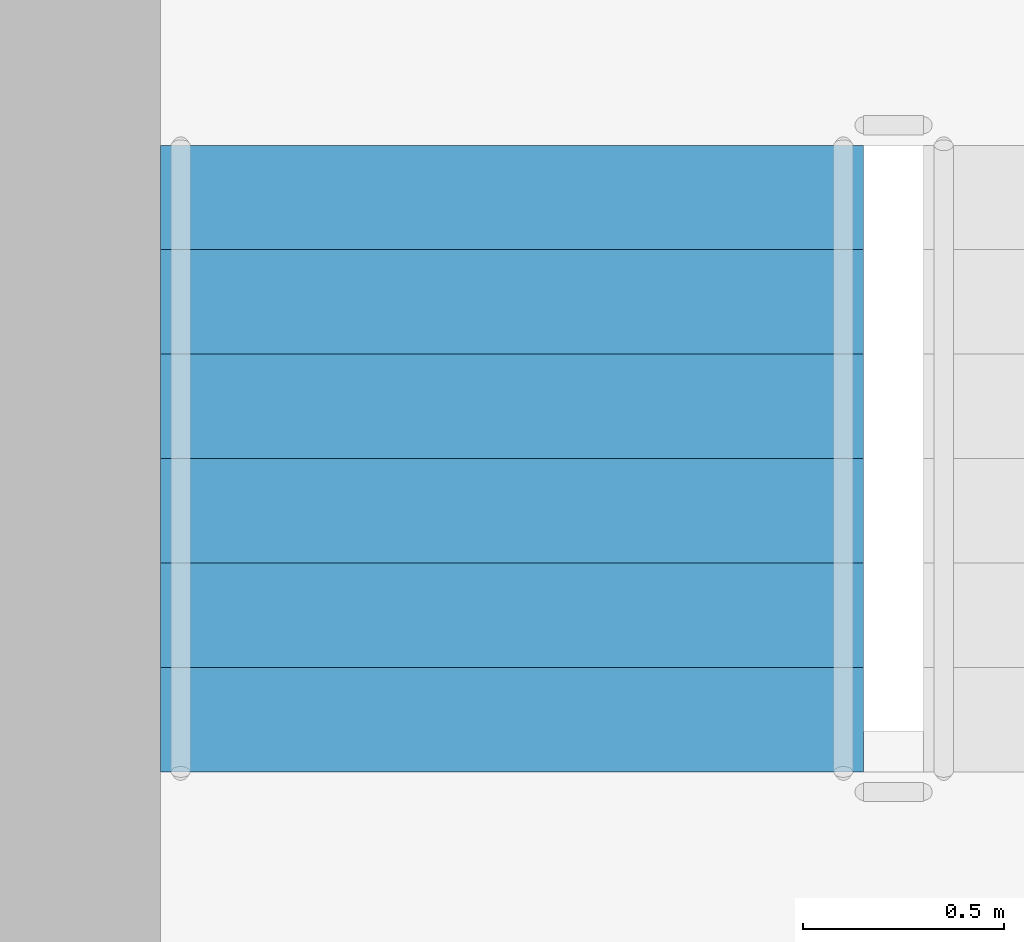
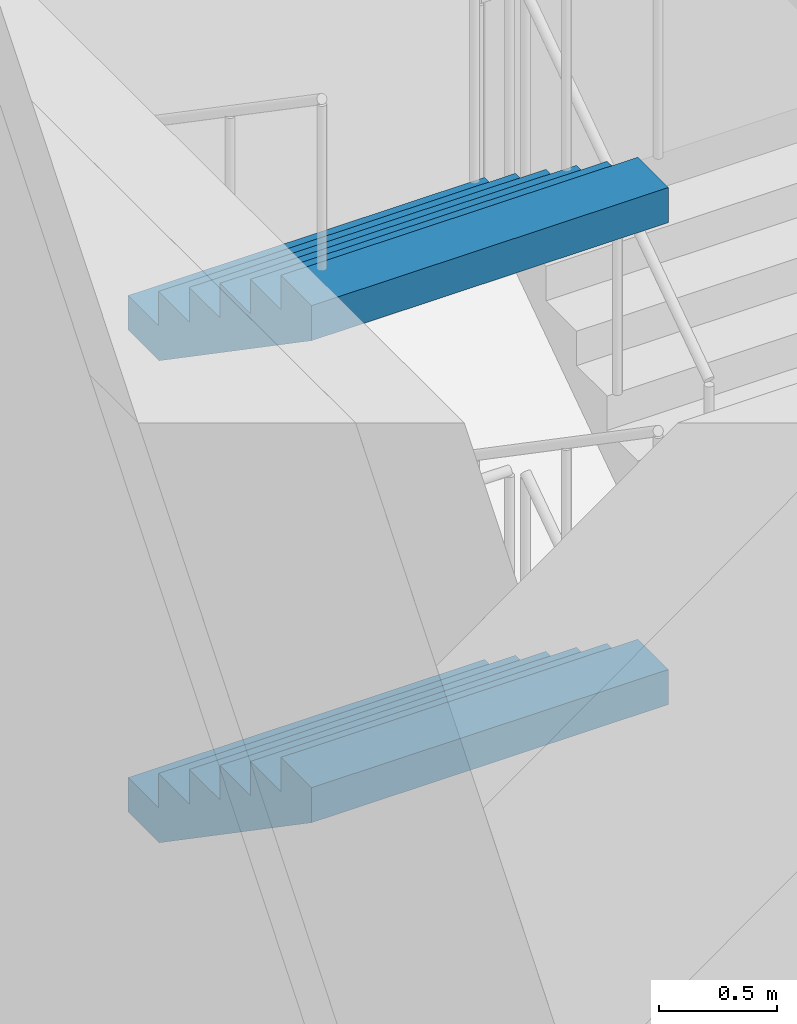
# One storey, part 24 of 34: 2 stair flights, 1 element without a shape of its own.
"""IFC4 building model written with IfcOpenShell, lengths in metres."""

from ifc_helpers import new_model, si_unit, direction, frame, origin, place, context, subcontext, project, spatial, faceted_brep, material, type_object, element, aggregate, save


model = new_model("IFC4")

# Units and contexts
model_context = context("Model", 3, precision=1e-05, world=origin(), true_north=direction((0.0, 1.0)))
body_context = subcontext(model_context, "Body", "Model", "MODEL_VIEW")
ifc_project = project(units=[si_unit("LENGTHUNIT", "METRE"), si_unit("AREAUNIT", "SQUARE_METRE"), si_unit("VOLUMEUNIT", "CUBIC_METRE"), si_unit("PLANEANGLEUNIT", "RADIAN"), si_unit("MASSUNIT", "GRAM", prefix="KILO")], contexts=[model_context])

# Site, building, storey
site_placement = place(None, origin())
site = spatial("IfcSite", under=ifc_project, at=site_placement, CompositionType="ELEMENT")
building_placement = place(site_placement, origin())
building = spatial("IfcBuilding", under=site, at=building_placement, Name="Ipe Terrace Towers", CompositionType="ELEMENT")
storey_placement = place(building_placement, frame((0.0, 0.0, 128.699951171875)))
storey = spatial("IfcBuildingStorey", under=building, at=storey_placement, Name="L35", CompositionType="ELEMENT", Elevation=128.699951171875)

# Stair, stair flights
ifc_material_1 = material(Name="Concrete C30/37", Category="concrete")
stair_type = type_object("IfcStairType", Name="Protected exit stair", PredefinedType="HALF_TURN_STAIR", material=ifc_material_1)
stair_placement = place(storey_placement, origin())
stair = element("IfcStair", 1, at=stair_placement, inside=storey, type_object=stair_type, Name="L35 Exit stair T2-C1", PredefinedType="HALF_TURN_STAIR")
ifc_material_2 = material(Name="Concrete C30/37", Category="concrete")
stair_flight_type = type_object("IfcStairFlightType", Name="Exit stair flight 1750", PredefinedType="STRAIGHT", material=ifc_material_2)
stair_flight_1_placement = place(storey_placement, frame((31.324951171875, 11.260009765625, 1.25), z_axis=(0.0, 0.0, 1.0), x_axis=(0.0, -1.0, 0.0)))
stair_flight_1 = element("IfcStairFlight", 2, at=stair_flight_1_placement, type_object=stair_flight_type, Name="T2-ST1 flight 2", NumberOfRisers=7, NumberOfTreads=6, PredefinedType="STRAIGHT", RiserHeight=0.178571429, TreadLength=0.26, context=body_context, shape_type="Brep", body=[
    faceted_brep([(0.264892578125, -0.875, 0.0), (1.56005859375, -0.875, 0.8896484375), (1.56005859375, -0.875, 1.071533203125), (1.300048828125, -0.875, 1.071533203125), (1.300048828125, -0.875, 0.892822265625), (1.0400390625, -0.875, 0.892822265625), (1.0400390625, -0.875, 0.71435546875), (0.780029296875, -0.875, 0.71435546875), (0.780029296875, -0.875, 0.53564453125), (0.52001953125, -0.875, 0.53564453125), (0.52001953125, -0.875, 0.357177734375), (0.260009765625, -0.875, 0.357177734375), (0.260009765625, -0.875, 0.178466796875), (0.0, -0.875, 0.178466796875), (0.0, -0.875, 0.0), (0.0, 0.875, 0.0), (0.0, 0.875, 0.178466796875), (0.260009765625, 0.875, 0.178466796875), (0.260009765625, 0.875, 0.357177734375), (0.52001953125, 0.875, 0.357177734375), (0.52001953125, 0.875, 0.53564453125), (0.780029296875, 0.875, 0.53564453125), (0.780029296875, 0.875, 0.71435546875), (1.0400390625, 0.875, 0.71435546875), (1.0400390625, 0.875, 0.892822265625), (1.300048828125, 0.875, 0.892822265625), (1.300048828125, 0.875, 1.071533203125), (1.56005859375, 0.875, 1.071533203125), (1.56005859375, 0.875, 0.8896484375), (0.264892578125, 0.875, 0.0), (0.0, -0.300048828125, 0.178466796875), (0.0, -0.1201171875, 0.178466796875), (0.0, -0.06005859375, 0.178466796875), (0.0, -0.030029296875, 0.178466796875), (0.0, -0.010009765625, 0.178466796875), (0.0, 0.0, 0.178466796875), (0.0, 0.010009765625, 0.178466796875), (0.0, 0.030029296875, 0.178466796875), (0.0, 0.06005859375, 0.178466796875), (0.0, 0.1201171875, 0.178466796875), (0.0, 0.300048828125, 0.178466796875), (0.0, 0.300048828125, 0.0), (0.0, 0.1201171875, 0.0), (0.0, 0.06005859375, 0.0), (0.0, 0.030029296875, 0.0), (0.0, 0.010009765625, 0.0), (0.0, 0.0, 0.0), (0.0, -0.010009765625, 0.0), (0.0, -0.030029296875, 0.0), (0.0, -0.06005859375, 0.0), (0.0, -0.1201171875, 0.0), (0.0, -0.300048828125, 0.0), (0.260009765625, -0.300048828125, 0.178466796875), (0.260009765625, -0.1201171875, 0.178466796875), (0.260009765625, -0.06005859375, 0.178466796875), (0.260009765625, -0.030029296875, 0.178466796875), (0.260009765625, -0.010009765625, 0.178466796875), (0.260009765625, 0.0, 0.178466796875), (0.260009765625, 0.010009765625, 0.178466796875), (0.260009765625, 0.030029296875, 0.178466796875), (0.260009765625, 0.06005859375, 0.178466796875), (0.260009765625, 0.1201171875, 0.178466796875), (0.260009765625, 0.300048828125, 0.178466796875), (0.260009765625, -0.300048828125, 0.357177734375), (0.260009765625, -0.1201171875, 0.357177734375), (0.260009765625, -0.06005859375, 0.357177734375), (0.260009765625, -0.030029296875, 0.357177734375), (0.260009765625, -0.010009765625, 0.357177734375), (0.260009765625, 0.0, 0.357177734375), (0.260009765625, 0.010009765625, 0.357177734375), (0.260009765625, 0.030029296875, 0.357177734375), (0.260009765625, 0.06005859375, 0.357177734375), (0.260009765625, 0.1201171875, 0.357177734375), (0.260009765625, 0.300048828125, 0.357177734375), (0.52001953125, -0.300048828125, 0.357177734375), (0.52001953125, -0.1201171875, 0.357177734375), (0.52001953125, -0.06005859375, 0.357177734375), (0.52001953125, -0.030029296875, 0.357177734375), (0.52001953125, -0.010009765625, 0.357177734375), (0.52001953125, 0.0, 0.357177734375), (0.52001953125, 0.010009765625, 0.357177734375), (0.52001953125, 0.030029296875, 0.357177734375), (0.52001953125, 0.06005859375, 0.357177734375), (0.52001953125, 0.1201171875, 0.357177734375), (0.52001953125, 0.300048828125, 0.357177734375), (0.52001953125, -0.300048828125, 0.53564453125), (0.52001953125, -0.1201171875, 0.53564453125), (0.52001953125, -0.06005859375, 0.53564453125), (0.52001953125, -0.030029296875, 0.53564453125), (0.52001953125, -0.010009765625, 0.53564453125), (0.52001953125, 0.0, 0.53564453125), (0.52001953125, 0.010009765625, 0.53564453125), (0.52001953125, 0.030029296875, 0.53564453125), (0.52001953125, 0.06005859375, 0.53564453125), (0.52001953125, 0.1201171875, 0.53564453125), (0.52001953125, 0.300048828125, 0.53564453125), (0.780029296875, -0.300048828125, 0.53564453125), (0.780029296875, -0.1201171875, 0.53564453125), (0.780029296875, -0.06005859375, 0.53564453125), (0.780029296875, -0.030029296875, 0.53564453125), (0.780029296875, -0.010009765625, 0.53564453125), (0.780029296875, 0.0, 0.53564453125), (0.780029296875, 0.010009765625, 0.53564453125), (0.780029296875, 0.030029296875, 0.53564453125), (0.780029296875, 0.06005859375, 0.53564453125), (0.780029296875, 0.1201171875, 0.53564453125), (0.780029296875, 0.300048828125, 0.53564453125), (0.780029296875, -0.300048828125, 0.71435546875), (0.780029296875, -0.1201171875, 0.71435546875), (0.780029296875, -0.06005859375, 0.71435546875), (0.780029296875, -0.030029296875, 0.71435546875), (0.780029296875, -0.010009765625, 0.71435546875), (0.780029296875, 0.0, 0.71435546875), (0.780029296875, 0.010009765625, 0.71435546875), (0.780029296875, 0.030029296875, 0.71435546875), (0.780029296875, 0.06005859375, 0.71435546875), (0.780029296875, 0.1201171875, 0.71435546875), (0.780029296875, 0.300048828125, 0.71435546875), (1.0400390625, -0.300048828125, 0.71435546875), (1.0400390625, -0.1201171875, 0.71435546875), (1.0400390625, -0.06005859375, 0.71435546875), (1.0400390625, -0.030029296875, 0.71435546875), (1.0400390625, -0.010009765625, 0.71435546875), (1.0400390625, 0.0, 0.71435546875), (1.0400390625, 0.010009765625, 0.71435546875), (1.0400390625, 0.030029296875, 0.71435546875), (1.0400390625, 0.06005859375, 0.71435546875), (1.0400390625, 0.1201171875, 0.71435546875), (1.0400390625, 0.300048828125, 0.71435546875), (1.0400390625, -0.300048828125, 0.892822265625), (1.0400390625, -0.1201171875, 0.892822265625), (1.0400390625, -0.06005859375, 0.892822265625), (1.0400390625, -0.030029296875, 0.892822265625), (1.0400390625, -0.010009765625, 0.892822265625), (1.0400390625, 0.0, 0.892822265625), (1.0400390625, 0.010009765625, 0.892822265625), (1.0400390625, 0.030029296875, 0.892822265625), (1.0400390625, 0.06005859375, 0.892822265625), (1.0400390625, 0.1201171875, 0.892822265625), (1.0400390625, 0.300048828125, 0.892822265625), (1.300048828125, -0.300048828125, 0.892822265625), (1.300048828125, -0.1201171875, 0.892822265625), (1.300048828125, -0.06005859375, 0.892822265625), (1.300048828125, -0.030029296875, 0.892822265625), (1.300048828125, -0.010009765625, 0.892822265625), (1.300048828125, 0.0, 0.892822265625), (1.300048828125, 0.010009765625, 0.892822265625), (1.300048828125, 0.030029296875, 0.892822265625), (1.300048828125, 0.06005859375, 0.892822265625), (1.300048828125, 0.1201171875, 0.892822265625), (1.300048828125, 0.300048828125, 0.892822265625), (1.300048828125, -0.300048828125, 1.071533203125), (1.300048828125, -0.1201171875, 1.071533203125), (1.300048828125, -0.06005859375, 1.071533203125), (1.300048828125, -0.030029296875, 1.071533203125), (1.300048828125, -0.010009765625, 1.071533203125), (1.300048828125, 0.0, 1.071533203125), (1.300048828125, 0.010009765625, 1.071533203125), (1.300048828125, 0.030029296875, 1.071533203125), (1.300048828125, 0.06005859375, 1.071533203125), (1.300048828125, 0.1201171875, 1.071533203125), (1.300048828125, 0.300048828125, 1.071533203125), (1.56005859375, -0.300048828125, 1.071533203125), (1.56005859375, -0.1201171875, 1.071533203125), (1.56005859375, -0.06005859375, 1.071533203125), (1.56005859375, -0.030029296875, 1.071533203125), (1.56005859375, -0.010009765625, 1.071533203125), (1.56005859375, 0.0, 1.071533203125), (1.56005859375, 0.010009765625, 1.071533203125), (1.56005859375, 0.030029296875, 1.071533203125), (1.56005859375, 0.06005859375, 1.071533203125), (1.56005859375, 0.1201171875, 1.071533203125), (1.56005859375, 0.300048828125, 1.071533203125), (1.56005859375, -0.300048828125, 0.8896484375), (1.56005859375, -0.1201171875, 0.8896484375), (1.56005859375, -0.06005859375, 0.8896484375), (1.56005859375, -0.030029296875, 0.8896484375), (1.56005859375, -0.010009765625, 0.8896484375), (1.56005859375, 0.0, 0.8896484375), (1.56005859375, 0.010009765625, 0.8896484375), (1.56005859375, 0.030029296875, 0.8896484375), (1.56005859375, 0.06005859375, 0.8896484375), (1.56005859375, 0.1201171875, 0.8896484375), (1.56005859375, 0.300048828125, 0.8896484375), (0.264892578125, -0.300048828125, 0.0), (0.264892578125, -0.1201171875, 0.0), (0.264892578125, -0.06005859375, 0.0), (0.264892578125, -0.030029296875, 0.0), (0.264892578125, -0.010009765625, 0.0), (0.264892578125, 0.0, 0.0), (0.264892578125, 0.010009765625, 0.0), (0.264892578125, 0.030029296875, 0.0), (0.264892578125, 0.06005859375, 0.0), (0.264892578125, 0.1201171875, 0.0), (0.264892578125, 0.300048828125, 0.0)], [[[0, 1, 2, 3, 4, 5, 6, 7, 8, 9, 10, 11, 12, 13, 14]], [[15, 16, 17, 18, 19, 20, 21, 22, 23, 24, 25, 26, 27, 28, 29]], [[13, 30, 31, 32, 33, 34, 35, 36, 37, 38, 39, 40, 16, 15, 41, 42, 43, 44, 45, 46, 47, 48, 49, 50, 51, 14]], [[12, 52, 53, 54, 55, 56, 57, 58, 59, 60, 61, 62, 17, 16, 40, 39, 38, 37, 36, 35, 34, 33, 32, 31, 30, 13]], [[11, 63, 64, 65, 66, 67, 68, 69, 70, 71, 72, 73, 18, 17, 62, 61, 60, 59, 58, 57, 56, 55, 54, 53, 52, 12]], [[10, 74, 75, 76, 77, 78, 79, 80, 81, 82, 83, 84, 19, 18, 73, 72, 71, 70, 69, 68, 67, 66, 65, 64, 63, 11]], [[9, 85, 86, 87, 88, 89, 90, 91, 92, 93, 94, 95, 20, 19, 84, 83, 82, 81, 80, 79, 78, 77, 76, 75, 74, 10]], [[8, 96, 97, 98, 99, 100, 101, 102, 103, 104, 105, 106, 21, 20, 95, 94, 93, 92, 91, 90, 89, 88, 87, 86, 85, 9]], [[7, 107, 108, 109, 110, 111, 112, 113, 114, 115, 116, 117, 22, 21, 106, 105, 104, 103, 102, 101, 100, 99, 98, 97, 96, 8]], [[6, 118, 119, 120, 121, 122, 123, 124, 125, 126, 127, 128, 23, 22, 117, 116, 115, 114, 113, 112, 111, 110, 109, 108, 107, 7]], [[5, 129, 130, 131, 132, 133, 134, 135, 136, 137, 138, 139, 24, 23, 128, 127, 126, 125, 124, 123, 122, 121, 120, 119, 118, 6]], [[4, 140, 141, 142, 143, 144, 145, 146, 147, 148, 149, 150, 25, 24, 139, 138, 137, 136, 135, 134, 133, 132, 131, 130, 129, 5]], [[3, 151, 152, 153, 154, 155, 156, 157, 158, 159, 160, 161, 26, 25, 150, 149, 148, 147, 146, 145, 144, 143, 142, 141, 140, 4]], [[2, 162, 163, 164, 165, 166, 167, 168, 169, 170, 171, 172, 27, 26, 161, 160, 159, 158, 157, 156, 155, 154, 153, 152, 151, 3]], [[1, 173, 174, 175, 176, 177, 178, 179, 180, 181, 182, 183, 28, 27, 172, 171, 170, 169, 168, 167, 166, 165, 164, 163, 162, 2]], [[0, 184, 185, 186, 187, 188, 189, 190, 191, 192, 193, 194, 29, 28, 183, 182, 181, 180, 179, 178, 177, 176, 175, 174, 173, 1]], [[14, 51, 50, 49, 48, 47, 46, 45, 44, 43, 42, 41, 15, 29, 194, 193, 192, 191, 190, 189, 188, 187, 186, 185, 184, 0]]]),
])
stair_flight_2_placement = place(storey_placement, frame((31.324951171875, 11.260009765625, 3.75), z_axis=(0.0, 0.0, 1.0), x_axis=(0.0, -1.0, 0.0)))
stair_flight_2 = element("IfcStairFlight", 3, at=stair_flight_2_placement, type_object=stair_flight_type, Name="T2-ST1 flight 4", NumberOfRisers=7, NumberOfTreads=6, PredefinedType="STRAIGHT", RiserHeight=0.178571429, TreadLength=0.26, context=body_context, shape_type="Brep", body=[
    faceted_brep([(0.264892578125, -0.875, 0.0), (1.56005859375, -0.875, 0.8896484375), (1.56005859375, -0.875, 1.071533203125), (1.300048828125, -0.875, 1.071533203125), (1.300048828125, -0.875, 0.892822265625), (1.0400390625, -0.875, 0.892822265625), (1.0400390625, -0.875, 0.71435546875), (0.780029296875, -0.875, 0.71435546875), (0.780029296875, -0.875, 0.53564453125), (0.52001953125, -0.875, 0.53564453125), (0.52001953125, -0.875, 0.357177734375), (0.260009765625, -0.875, 0.357177734375), (0.260009765625, -0.875, 0.178466796875), (0.0, -0.875, 0.178466796875), (0.0, -0.875, 0.0), (0.0, 0.875, 0.0), (0.0, 0.875, 0.178466796875), (0.260009765625, 0.875, 0.178466796875), (0.260009765625, 0.875, 0.357177734375), (0.52001953125, 0.875, 0.357177734375), (0.52001953125, 0.875, 0.53564453125), (0.780029296875, 0.875, 0.53564453125), (0.780029296875, 0.875, 0.71435546875), (1.0400390625, 0.875, 0.71435546875), (1.0400390625, 0.875, 0.892822265625), (1.300048828125, 0.875, 0.892822265625), (1.300048828125, 0.875, 1.071533203125), (1.56005859375, 0.875, 1.071533203125), (1.56005859375, 0.875, 0.8896484375), (0.264892578125, 0.875, 0.0), (0.0, -0.300048828125, 0.178466796875), (0.0, -0.1201171875, 0.178466796875), (0.0, -0.06005859375, 0.178466796875), (0.0, -0.030029296875, 0.178466796875), (0.0, -0.010009765625, 0.178466796875), (0.0, 0.0, 0.178466796875), (0.0, 0.010009765625, 0.178466796875), (0.0, 0.030029296875, 0.178466796875), (0.0, 0.06005859375, 0.178466796875), (0.0, 0.1201171875, 0.178466796875), (0.0, 0.300048828125, 0.178466796875), (0.0, 0.300048828125, 0.0), (0.0, 0.1201171875, 0.0), (0.0, 0.06005859375, 0.0), (0.0, 0.030029296875, 0.0), (0.0, 0.010009765625, 0.0), (0.0, 0.0, 0.0), (0.0, -0.010009765625, 0.0), (0.0, -0.030029296875, 0.0), (0.0, -0.06005859375, 0.0), (0.0, -0.1201171875, 0.0), (0.0, -0.300048828125, 0.0), (0.260009765625, -0.300048828125, 0.178466796875), (0.260009765625, -0.1201171875, 0.178466796875), (0.260009765625, -0.06005859375, 0.178466796875), (0.260009765625, -0.030029296875, 0.178466796875), (0.260009765625, -0.010009765625, 0.178466796875), (0.260009765625, 0.0, 0.178466796875), (0.260009765625, 0.010009765625, 0.178466796875), (0.260009765625, 0.030029296875, 0.178466796875), (0.260009765625, 0.06005859375, 0.178466796875), (0.260009765625, 0.1201171875, 0.178466796875), (0.260009765625, 0.300048828125, 0.178466796875), (0.260009765625, -0.300048828125, 0.357177734375), (0.260009765625, -0.1201171875, 0.357177734375), (0.260009765625, -0.06005859375, 0.357177734375), (0.260009765625, -0.030029296875, 0.357177734375), (0.260009765625, -0.010009765625, 0.357177734375), (0.260009765625, 0.0, 0.357177734375), (0.260009765625, 0.010009765625, 0.357177734375), (0.260009765625, 0.030029296875, 0.357177734375), (0.260009765625, 0.06005859375, 0.357177734375), (0.260009765625, 0.1201171875, 0.357177734375), (0.260009765625, 0.300048828125, 0.357177734375), (0.52001953125, -0.300048828125, 0.357177734375), (0.52001953125, -0.1201171875, 0.357177734375), (0.52001953125, -0.06005859375, 0.357177734375), (0.52001953125, -0.030029296875, 0.357177734375), (0.52001953125, -0.010009765625, 0.357177734375), (0.52001953125, 0.0, 0.357177734375), (0.52001953125, 0.010009765625, 0.357177734375), (0.52001953125, 0.030029296875, 0.357177734375), (0.52001953125, 0.06005859375, 0.357177734375), (0.52001953125, 0.1201171875, 0.357177734375), (0.52001953125, 0.300048828125, 0.357177734375), (0.52001953125, -0.300048828125, 0.53564453125), (0.52001953125, -0.1201171875, 0.53564453125), (0.52001953125, -0.06005859375, 0.53564453125), (0.52001953125, -0.030029296875, 0.53564453125), (0.52001953125, -0.010009765625, 0.53564453125), (0.52001953125, 0.0, 0.53564453125), (0.52001953125, 0.010009765625, 0.53564453125), (0.52001953125, 0.030029296875, 0.53564453125), (0.52001953125, 0.06005859375, 0.53564453125), (0.52001953125, 0.1201171875, 0.53564453125), (0.52001953125, 0.300048828125, 0.53564453125), (0.780029296875, -0.300048828125, 0.53564453125), (0.780029296875, -0.1201171875, 0.53564453125), (0.780029296875, -0.06005859375, 0.53564453125), (0.780029296875, -0.030029296875, 0.53564453125), (0.780029296875, -0.010009765625, 0.53564453125), (0.780029296875, 0.0, 0.53564453125), (0.780029296875, 0.010009765625, 0.53564453125), (0.780029296875, 0.030029296875, 0.53564453125), (0.780029296875, 0.06005859375, 0.53564453125), (0.780029296875, 0.1201171875, 0.53564453125), (0.780029296875, 0.300048828125, 0.53564453125), (0.780029296875, -0.300048828125, 0.71435546875), (0.780029296875, -0.1201171875, 0.71435546875), (0.780029296875, -0.06005859375, 0.71435546875), (0.780029296875, -0.030029296875, 0.71435546875), (0.780029296875, -0.010009765625, 0.71435546875), (0.780029296875, 0.0, 0.71435546875), (0.780029296875, 0.010009765625, 0.71435546875), (0.780029296875, 0.030029296875, 0.71435546875), (0.780029296875, 0.06005859375, 0.71435546875), (0.780029296875, 0.1201171875, 0.71435546875), (0.780029296875, 0.300048828125, 0.71435546875), (1.0400390625, -0.300048828125, 0.71435546875), (1.0400390625, -0.1201171875, 0.71435546875), (1.0400390625, -0.06005859375, 0.71435546875), (1.0400390625, -0.030029296875, 0.71435546875), (1.0400390625, -0.010009765625, 0.71435546875), (1.0400390625, 0.0, 0.71435546875), (1.0400390625, 0.010009765625, 0.71435546875), (1.0400390625, 0.030029296875, 0.71435546875), (1.0400390625, 0.06005859375, 0.71435546875), (1.0400390625, 0.1201171875, 0.71435546875), (1.0400390625, 0.300048828125, 0.71435546875), (1.0400390625, -0.300048828125, 0.892822265625), (1.0400390625, -0.1201171875, 0.892822265625), (1.0400390625, -0.06005859375, 0.892822265625), (1.0400390625, -0.030029296875, 0.892822265625), (1.0400390625, -0.010009765625, 0.892822265625), (1.0400390625, 0.0, 0.892822265625), (1.0400390625, 0.010009765625, 0.892822265625), (1.0400390625, 0.030029296875, 0.892822265625), (1.0400390625, 0.06005859375, 0.892822265625), (1.0400390625, 0.1201171875, 0.892822265625), (1.0400390625, 0.300048828125, 0.892822265625), (1.300048828125, -0.300048828125, 0.892822265625), (1.300048828125, -0.1201171875, 0.892822265625), (1.300048828125, -0.06005859375, 0.892822265625), (1.300048828125, -0.030029296875, 0.892822265625), (1.300048828125, -0.010009765625, 0.892822265625), (1.300048828125, 0.0, 0.892822265625), (1.300048828125, 0.010009765625, 0.892822265625), (1.300048828125, 0.030029296875, 0.892822265625), (1.300048828125, 0.06005859375, 0.892822265625), (1.300048828125, 0.1201171875, 0.892822265625), (1.300048828125, 0.300048828125, 0.892822265625), (1.300048828125, -0.300048828125, 1.071533203125), (1.300048828125, -0.1201171875, 1.071533203125), (1.300048828125, -0.06005859375, 1.071533203125), (1.300048828125, -0.030029296875, 1.071533203125), (1.300048828125, -0.010009765625, 1.071533203125), (1.300048828125, 0.0, 1.071533203125), (1.300048828125, 0.010009765625, 1.071533203125), (1.300048828125, 0.030029296875, 1.071533203125), (1.300048828125, 0.06005859375, 1.071533203125), (1.300048828125, 0.1201171875, 1.071533203125), (1.300048828125, 0.300048828125, 1.071533203125), (1.56005859375, -0.300048828125, 1.071533203125), (1.56005859375, -0.1201171875, 1.071533203125), (1.56005859375, -0.06005859375, 1.071533203125), (1.56005859375, -0.030029296875, 1.071533203125), (1.56005859375, -0.010009765625, 1.071533203125), (1.56005859375, 0.0, 1.071533203125), (1.56005859375, 0.010009765625, 1.071533203125), (1.56005859375, 0.030029296875, 1.071533203125), (1.56005859375, 0.06005859375, 1.071533203125), (1.56005859375, 0.1201171875, 1.071533203125), (1.56005859375, 0.300048828125, 1.071533203125), (1.56005859375, -0.300048828125, 0.8896484375), (1.56005859375, -0.1201171875, 0.8896484375), (1.56005859375, -0.06005859375, 0.8896484375), (1.56005859375, -0.030029296875, 0.8896484375), (1.56005859375, -0.010009765625, 0.8896484375), (1.56005859375, 0.0, 0.8896484375), (1.56005859375, 0.010009765625, 0.8896484375), (1.56005859375, 0.030029296875, 0.8896484375), (1.56005859375, 0.06005859375, 0.8896484375), (1.56005859375, 0.1201171875, 0.8896484375), (1.56005859375, 0.300048828125, 0.8896484375), (0.264892578125, -0.300048828125, 0.0), (0.264892578125, -0.1201171875, 0.0), (0.264892578125, -0.06005859375, 0.0), (0.264892578125, -0.030029296875, 0.0), (0.264892578125, -0.010009765625, 0.0), (0.264892578125, 0.0, 0.0), (0.264892578125, 0.010009765625, 0.0), (0.264892578125, 0.030029296875, 0.0), (0.264892578125, 0.06005859375, 0.0), (0.264892578125, 0.1201171875, 0.0), (0.264892578125, 0.300048828125, 0.0)], [[[0, 1, 2, 3, 4, 5, 6, 7, 8, 9, 10, 11, 12, 13, 14]], [[15, 16, 17, 18, 19, 20, 21, 22, 23, 24, 25, 26, 27, 28, 29]], [[13, 30, 31, 32, 33, 34, 35, 36, 37, 38, 39, 40, 16, 15, 41, 42, 43, 44, 45, 46, 47, 48, 49, 50, 51, 14]], [[12, 52, 53, 54, 55, 56, 57, 58, 59, 60, 61, 62, 17, 16, 40, 39, 38, 37, 36, 35, 34, 33, 32, 31, 30, 13]], [[11, 63, 64, 65, 66, 67, 68, 69, 70, 71, 72, 73, 18, 17, 62, 61, 60, 59, 58, 57, 56, 55, 54, 53, 52, 12]], [[10, 74, 75, 76, 77, 78, 79, 80, 81, 82, 83, 84, 19, 18, 73, 72, 71, 70, 69, 68, 67, 66, 65, 64, 63, 11]], [[9, 85, 86, 87, 88, 89, 90, 91, 92, 93, 94, 95, 20, 19, 84, 83, 82, 81, 80, 79, 78, 77, 76, 75, 74, 10]], [[8, 96, 97, 98, 99, 100, 101, 102, 103, 104, 105, 106, 21, 20, 95, 94, 93, 92, 91, 90, 89, 88, 87, 86, 85, 9]], [[7, 107, 108, 109, 110, 111, 112, 113, 114, 115, 116, 117, 22, 21, 106, 105, 104, 103, 102, 101, 100, 99, 98, 97, 96, 8]], [[6, 118, 119, 120, 121, 122, 123, 124, 125, 126, 127, 128, 23, 22, 117, 116, 115, 114, 113, 112, 111, 110, 109, 108, 107, 7]], [[5, 129, 130, 131, 132, 133, 134, 135, 136, 137, 138, 139, 24, 23, 128, 127, 126, 125, 124, 123, 122, 121, 120, 119, 118, 6]], [[4, 140, 141, 142, 143, 144, 145, 146, 147, 148, 149, 150, 25, 24, 139, 138, 137, 136, 135, 134, 133, 132, 131, 130, 129, 5]], [[3, 151, 152, 153, 154, 155, 156, 157, 158, 159, 160, 161, 26, 25, 150, 149, 148, 147, 146, 145, 144, 143, 142, 141, 140, 4]], [[2, 162, 163, 164, 165, 166, 167, 168, 169, 170, 171, 172, 27, 26, 161, 160, 159, 158, 157, 156, 155, 154, 153, 152, 151, 3]], [[1, 173, 174, 175, 176, 177, 178, 179, 180, 181, 182, 183, 28, 27, 172, 171, 170, 169, 168, 167, 166, 165, 164, 163, 162, 2]], [[0, 184, 185, 186, 187, 188, 189, 190, 191, 192, 193, 194, 29, 28, 183, 182, 181, 180, 179, 178, 177, 176, 175, 174, 173, 1]], [[14, 51, 50, 49, 48, 47, 46, 45, 44, 43, 42, 41, 15, 29, 194, 193, 192, 191, 190, 189, 188, 187, 186, 185, 184, 0]]]),
])
aggregate(stair, [stair_flight_1, stair_flight_2])

save(model, "model.ifc")
